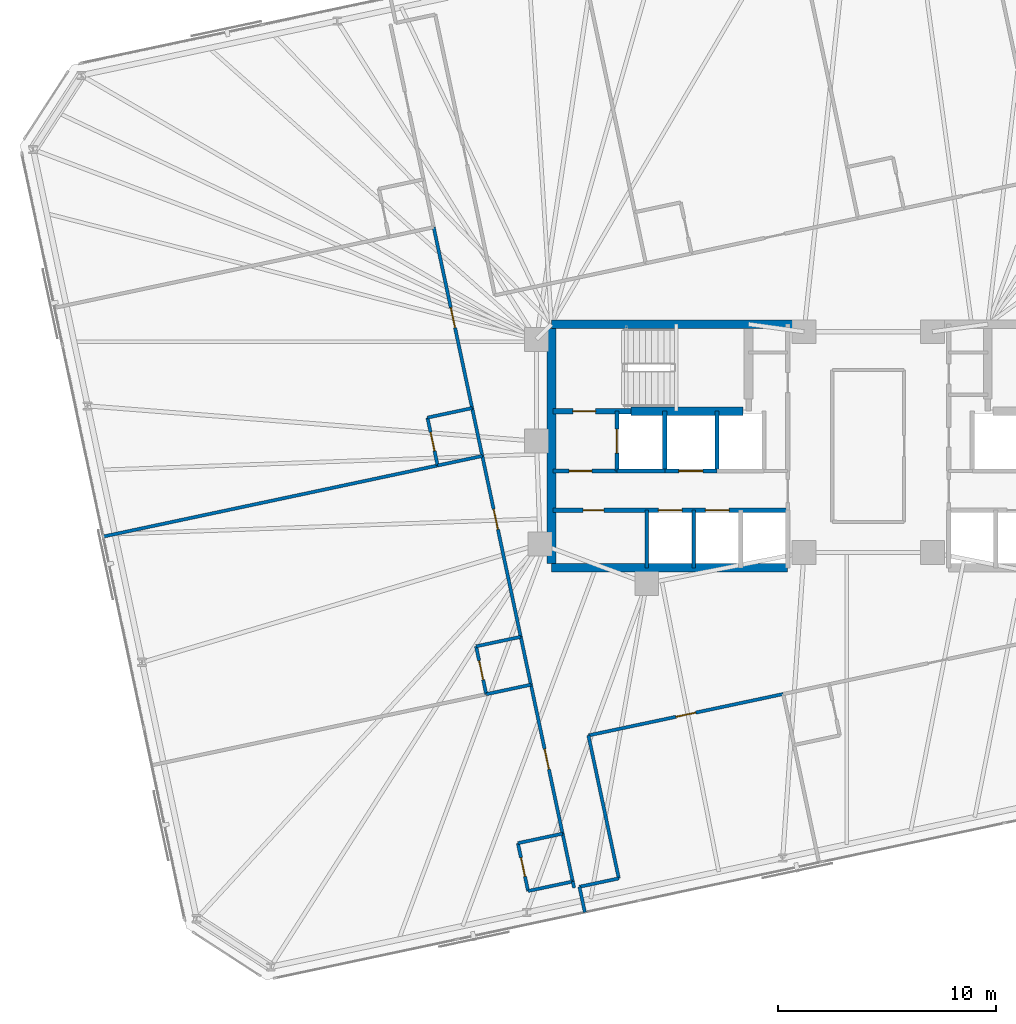
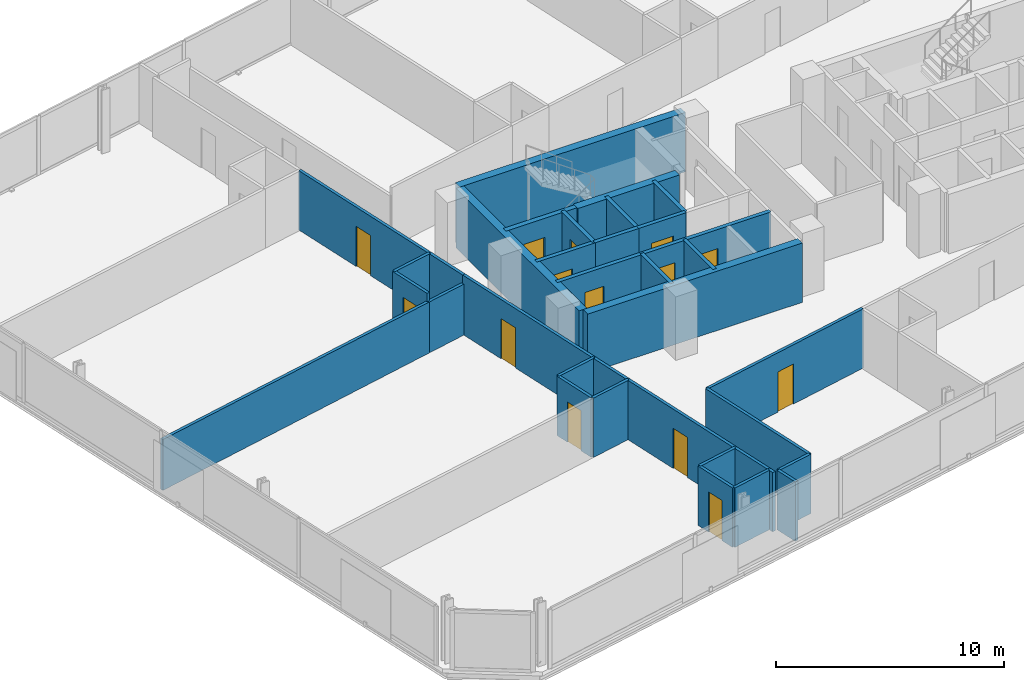
# One storey, part 14 of 19: 35 walls, 14 doors, 14 openings.
"""IFC4 building model written with IfcOpenShell, lengths in metres."""

from ifc_helpers import new_model, si_unit, direction, frame, frame_2d, origin, place, context, subcontext, project, spatial, rectangle, extrude, material, layer, layer_set, type_object, element, fill, save


model = new_model("IFC4")

# Units and contexts
model_context = context("Model", 3, precision=1e-05, world=origin(), true_north=direction((0.0, 1.0)))
body_context = subcontext(model_context, "Body", "Model", "MODEL_VIEW")
ifc_project = project(units=[si_unit("LENGTHUNIT", "METRE"), si_unit("AREAUNIT", "SQUARE_METRE"), si_unit("VOLUMEUNIT", "CUBIC_METRE"), si_unit("PLANEANGLEUNIT", "RADIAN"), si_unit("MASSUNIT", "GRAM", prefix="KILO")], contexts=[model_context])

# Site, building, storey
site_placement = place(None, origin())
site = spatial("IfcSite", under=ifc_project, at=site_placement, CompositionType="ELEMENT")
building_placement = place(site_placement, origin())
building = spatial("IfcBuilding", under=site, at=building_placement, Name="Menara Jurai Vektor", CompositionType="ELEMENT")
storey_placement = place(building_placement, frame((0.0, 0.0, 154.800048828125)))
storey = spatial("IfcBuildingStorey", under=building, at=storey_placement, Name="L39", CompositionType="ELEMENT", Elevation=154.800048828125)

# Wall, opening, door
ifc_material_1 = material(Name="Concrete C40/50", Category="concrete")
ifc_layer_1 = layer(ifc_material_1, 0.25)
ifc_layer_set_1 = layer_set([ifc_layer_1], Name="Concrete C40/50")
wall_type_1 = type_object("IfcWallType", Name="INT-WALL-CORE-250", PredefinedType="STANDARD", material=ifc_layer_set_1)
wall_1_placement = place(storey_placement, frame((-14.5, 1.60009765625, 0.0), z_axis=(0.0, 0.0, 1.0), x_axis=(1.0, 0.0, 0.0)))
wall_1 = element("IfcWall", 1, at=wall_1_placement, inside=storey, type_object=wall_type_1, Name="Interior Wall IW-250 L39", PredefinedType="STANDARD", context=body_context, shape_type="SweptSolid", body=[
    extrude(rectangle(XDim=3.60009765625, YDim=0.25, at=frame_2d((1.800048828125, 0.0))), origin(), (0.0, 0.0, 1.0), 3.175048828125),
])
opening_1_placement = place(wall_1_placement, frame((0.919921875, 0.0, 0.0)))
opening_1 = element("IfcOpeningElement", 2, at=opening_1_placement, cuts=wall_1, Name="Opening D-L39-ST1", PredefinedType="OPENING", context=body_context, shape_type="SweptSolid", body=[
    extrude(rectangle(XDim=1.050048828125, YDim=2.14990234375, at=frame_2d((0.52490234375, 1.074951171875))), frame((0.0, 0.135009765625, 0.0), z_axis=(0.0, -1.0, 0.0), x_axis=(1.0, 0.0, 0.0)), (0.0, 0.0, 1.0), 0.27001953125),
])
ifc_material_2 = material(Name="Fire-Rated Steel Door", Category="steel")
door_type_1 = type_object("IfcDoorType", Name="DR-STAIR-1050", OperationType="NOTDEFINED", PredefinedType="DOOR", material=ifc_material_2)
door_1_placement = place(opening_1_placement, origin())
door_1 = element("IfcDoor", 3, at=door_1_placement, inside=storey, type_object=door_type_1, Name="Exit Stair ST1 Door L39", OperationType="SINGLE_SWING_RIGHT", OverallHeight=2.14990234375, OverallWidth=1.050048828125, PredefinedType="DOOR", context=body_context, shape_type="SweptSolid", body=[
    extrude(rectangle(XDim=1.050048828125, YDim=2.14990234375, at=frame_2d((0.52490234375, 1.074951171875))), frame((0.0, 0.02490234375, 0.0), z_axis=(0.0, -1.0, 0.0), x_axis=(1.0, 0.0, 0.0)), (0.0, 0.0, 1.0), 0.050048828125),
])
fill(opening_1, door_1)

wall_2_placement = place(storey_placement, frame((-11.550048828125, -1.14990234375, 0.0), z_axis=(0.0, 0.0, 1.0), x_axis=(0.0, 1.0, 0.0)))
wall_2 = element("IfcWall", 4, at=wall_2_placement, inside=storey, type_object=wall_type_1, Name="Interior Wall IW-250 L39", PredefinedType="STANDARD", context=body_context, shape_type="SweptSolid", body=[
    extrude(rectangle(XDim=2.75, YDim=0.199951171875, at=frame_2d((1.375, 0.0))), origin(), (0.0, 0.0, 1.0), 3.175048828125),
])
opening_2_placement = place(wall_2_placement, frame((0.824951171875, 0.0, 0.0)))
opening_2 = element("IfcOpeningElement", 5, at=opening_2_placement, cuts=wall_2, Name="Opening LD-L39-FL1", PredefinedType="OPENING", context=body_context, shape_type="SweptSolid", body=[
    extrude(rectangle(XDim=1.10009765625, YDim=2.14990234375, at=frame_2d((0.550048828125, 1.074951171875))), frame((0.0, 0.10986328125, 0.0), z_axis=(0.0, -1.0, 0.0), x_axis=(1.0, 0.0, 0.0)), (0.0, 0.0, 1.0), 0.219970703125),
])
ifc_material_3 = material(Name="Stainless Steel Sliding Lift Landing Door", Category="steel")
door_type_2 = type_object("IfcDoorType", Name="DR-LIFT-FIRE-1100", OperationType="NOTDEFINED", PredefinedType="DOOR", material=ifc_material_3)
door_2_placement = place(opening_2_placement, origin())
door_2 = element("IfcDoor", 6, at=door_2_placement, inside=storey, type_object=door_type_2, Name="Lift Landing Door FL1 L39", OperationType="SLIDING_TO_RIGHT", OverallHeight=2.14990234375, OverallWidth=1.10009765625, PredefinedType="DOOR", context=body_context, shape_type="SweptSolid", body=[
    extrude(rectangle(XDim=1.10009765625, YDim=2.14990234375, at=frame_2d((0.550048828125, 1.074951171875))), frame((0.0, 0.02490234375, 0.0), z_axis=(0.0, -1.0, 0.0), x_axis=(1.0, 0.0, 0.0)), (0.0, 0.0, 1.0), 0.050048828125),
])
fill(opening_2, door_2)

# Wall
wall_3_placement = place(storey_placement, frame((-9.35009765625, -1.14990234375, 0.0), z_axis=(0.0, 0.0, 1.0), x_axis=(0.0, 1.0, 0.0)))
element("IfcWall", 7, at=wall_3_placement, inside=storey, type_object=wall_type_1, Name="Interior Wall IW-250 L39", PredefinedType="STANDARD", context=body_context, shape_type="SweptSolid", body=[
    extrude(rectangle(XDim=2.75, YDim=0.199951171875, at=frame_2d((1.375, 0.0))), origin(), (0.0, 0.0, 1.0), 3.175048828125),
])

# Wall, opening, door
wall_4_placement = place(storey_placement, frame((-14.5, -1.14990234375, 0.0), z_axis=(0.0, 0.0, 1.0), x_axis=(1.0, 0.0, 0.0)))
wall_4 = element("IfcWall", 8, at=wall_4_placement, inside=storey, type_object=wall_type_1, Name="Interior Wall IW-250 L39", PredefinedType="STANDARD", context=body_context, shape_type="SweptSolid", body=[
    extrude(rectangle(XDim=2.949951171875, YDim=0.199951171875, at=frame_2d((1.47509765625, 0.0))), origin(), (0.0, 0.0, 1.0), 3.175048828125),
])
opening_3_placement = place(wall_4_placement, frame((0.75, 0.0, 0.0)))
opening_3 = element("IfcOpeningElement", 9, at=opening_3_placement, cuts=wall_4, Name="Opening D-L39-FFW", PredefinedType="OPENING", context=body_context, shape_type="SweptSolid", body=[
    extrude(rectangle(XDim=1.050048828125, YDim=2.179931640625, at=frame_2d((0.52490234375, 1.08984375))), frame((0.0, 0.10986328125, 0.0), z_axis=(0.0, -1.0, 0.0), x_axis=(1.0, 0.0, 0.0)), (0.0, 0.0, 1.0), 0.219970703125),
])
ifc_material_4 = material(Name="Fire-Rated Timber Door", Category="wood")
door_type_3 = type_object("IfcDoorType", Name="DR-LOBBY-1050", OperationType="NOTDEFINED", PredefinedType="DOOR", material=ifc_material_4)
door_3_placement = place(opening_3_placement, origin())
door_3 = element("IfcDoor", 10, at=door_3_placement, inside=storey, type_object=door_type_3, Name="Fire Lift Lobby Door W L39", OperationType="SINGLE_SWING_RIGHT", OverallHeight=2.179931640625, OverallWidth=1.050048828125, PredefinedType="DOOR", context=body_context, shape_type="SweptSolid", body=[
    extrude(rectangle(XDim=1.050048828125, YDim=2.179931640625, at=frame_2d((0.52490234375, 1.08984375))), frame((0.0, 0.02490234375, 0.0), z_axis=(0.0, -1.0, 0.0), x_axis=(1.0, 0.0, 0.0)), (0.0, 0.0, 1.0), 0.050048828125),
])
fill(opening_3, door_3)

# Walls
wall_5_placement = place(storey_placement, frame((-11.550048828125, -1.14990234375, 0.0), z_axis=(0.0, 0.0, 1.0), x_axis=(1.0, 0.0, 0.0)))
element("IfcWall", 11, at=wall_5_placement, inside=storey, type_object=wall_type_1, Name="Interior Wall IW-250 L39", PredefinedType="STANDARD", context=body_context, shape_type="SweptSolid", body=[
    extrude(rectangle(XDim=2.199951171875, YDim=0.199951171875, at=frame_2d((1.10009765625, 0.0))), origin(), (0.0, 0.0, 1.0), 3.175048828125),
])
ifc_material_5 = material(Name="Gypsum Fireboard Partition", Category="gypsum")
ifc_layer_2 = layer(ifc_material_5, 0.14990234375)
ifc_layer_set_2 = layer_set([ifc_layer_2], Name="Gypsum Fireboard Partition")
wall_type_2 = type_object("IfcWallType", Name="INT-WALL-CORR-150", PredefinedType="PARTITIONING", material=ifc_layer_set_2)
wall_6_placement = place(storey_placement, frame((-13.274169921875, -20.264892578125, 0.0), z_axis=(0.0, 0.0, 1.0), x_axis=(0.978160192495, 0.207852442415, 0.0)))
element("IfcWall", 12, at=wall_6_placement, inside=storey, type_object=wall_type_2, Name="Interior Wall IW-150 L39", PredefinedType="PARTITIONING", context=body_context, shape_type="SweptSolid", body=[
    extrude(rectangle(XDim=1.849853515625, YDim=0.14990234375, at=frame_2d((0.9248046875, 0.0))), origin(), (0.0, 0.0, 1.0), 3.175048828125),
])
wall_7_placement = place(storey_placement, frame((-11.464599609375, -19.88037109375, 0.0), z_axis=(0.0, 0.0, 1.0), x_axis=(-0.207916109912, 0.978146661416, 0.0)))
element("IfcWall", 13, at=wall_7_placement, inside=storey, type_object=wall_type_2, Name="Interior Wall IW-150 L39", PredefinedType="PARTITIONING", context=body_context, shape_type="SweptSolid", body=[
    extrude(rectangle(XDim=6.72021484375, YDim=0.14990234375, at=frame_2d((3.360107421875, 0.0))), origin(), (0.0, 0.0, 1.0), 3.175048828125),
])

# Wall, opening, door
wall_8_placement = place(storey_placement, frame((-12.86181640625, -13.30712890625, 0.0), z_axis=(0.0, 0.0, 1.0), x_axis=(0.978149904805, 0.207900850719, 0.0)))
wall_8 = element("IfcWall", 14, at=wall_8_placement, inside=storey, type_object=wall_type_2, Name="Interior Wall IW-150 L39", PredefinedType="PARTITIONING", context=body_context, shape_type="SweptSolid", body=[
    extrude(rectangle(XDim=9.156005859375, YDim=0.14990234375, at=frame_2d((4.578125, 0.0))), origin(), (0.0, 0.0, 1.0), 3.175048828125),
])
opening_4_placement = place(wall_8_placement, frame((4.117919921875, 0.0, 0.0)))
opening_4 = element("IfcOpeningElement", 15, at=opening_4_placement, cuts=wall_8, Name="Opening D39-14", PredefinedType="OPENING", context=body_context, shape_type="SweptSolid", body=[
    extrude(rectangle(XDim=0.919921875, YDim=2.14990234375, at=frame_2d((0.4599609375, 1.074951171875))), frame((0.0, 0.0849609375, 0.0), z_axis=(0.0, -1.0, 0.0), x_axis=(1.0, 0.0, 0.0)), (0.0, 0.0, 1.0), 0.169921875),
])
ifc_material_6 = material(Name="Solid Core Timber Fire Door", Category="wood")
door_type_4 = type_object("IfcDoorType", Name="DR-ENTRY-950", OperationType="NOTDEFINED", PredefinedType="DOOR", material=ifc_material_6)
door_4_placement = place(opening_4_placement, origin())
door_4 = element("IfcDoor", 16, at=door_4_placement, inside=storey, type_object=door_type_4, Name="Interior Door D39-14", OperationType="SINGLE_SWING_LEFT", OverallHeight=2.14990234375, OverallWidth=0.919921875, PredefinedType="DOOR", context=body_context, shape_type="SweptSolid", body=[
    extrude(rectangle(XDim=0.919921875, YDim=2.14990234375, at=frame_2d((0.4599609375, 1.074951171875))), frame((0.0, 0.02490234375, 0.0), z_axis=(0.0, -1.0, 0.0), x_axis=(1.0, 0.0, 0.0)), (0.0, 0.0, 1.0), 0.050048828125),
])
fill(opening_4, door_4)

# Wall
wall_9_placement = place(storey_placement, frame((-13.518798828125, -20.31689453125, 0.0), z_axis=(0.0, 0.0, 1.0), x_axis=(-0.207527808066, 0.978229118806, 0.0)))
element("IfcWall", 17, at=wall_9_placement, inside=storey, type_object=wall_type_2, Name="Interior Wall IW-150 L39", PredefinedType="PARTITIONING", context=body_context, shape_type="SweptSolid", body=[
    extrude(rectangle(XDim=0.300048828125, YDim=0.14990234375, at=frame_2d((0.14990234375, 0.0))), origin(), (0.0, 0.0, 1.0), 3.175048828125),
])

# Wall, opening, door
wall_10_placement = place(storey_placement, frame((-14.048828125, -17.822509765625, 0.0), z_axis=(0.0, 0.0, 1.0), x_axis=(-0.207940096132, 0.978141562567, 0.0)))
wall_10 = element("IfcWall", 18, at=wall_10_placement, inside=storey, type_object=wall_type_2, Name="Interior Wall IW-150 L39", PredefinedType="PARTITIONING", context=body_context, shape_type="SweptSolid", body=[
    extrude(rectangle(XDim=7.0, YDim=0.14990234375, at=frame_2d((3.5, 0.0))), origin(), (0.0, 0.0, 1.0), 3.175048828125),
])
opening_5_placement = place(wall_10_placement, frame((3.02490234375, 0.0, 0.0)))
opening_5 = element("IfcOpeningElement", 19, at=opening_5_placement, cuts=wall_10, Name="Opening D39-19", PredefinedType="OPENING", context=body_context, shape_type="SweptSolid", body=[
    extrude(rectangle(XDim=0.949951171875, YDim=2.14990234375, at=frame_2d((0.47509765625, 1.074951171875))), frame((0.0, 0.0849609375, 0.0), z_axis=(0.0, -1.0, 0.0), x_axis=(1.0, 0.0, 0.0)), (0.0, 0.0, 1.0), 0.169921875),
])
door_5_placement = place(opening_5_placement, origin())
door_5 = element("IfcDoor", 20, at=door_5_placement, inside=storey, type_object=door_type_4, Name="Interior Door D39-19", OperationType="SINGLE_SWING_RIGHT", OverallHeight=2.14990234375, OverallWidth=0.949951171875, PredefinedType="DOOR", context=body_context, shape_type="SweptSolid", body=[
    extrude(rectangle(XDim=0.949951171875, YDim=2.14990234375, at=frame_2d((0.47509765625, 1.074951171875))), frame((0.0, 0.02490234375, 0.0), z_axis=(0.0, -1.0, 0.0), x_axis=(1.0, 0.0, 0.0)), (0.0, 0.0, 1.0), 0.050048828125),
])
fill(opening_5, door_5)

# Wall
wall_11_placement = place(storey_placement, frame((-13.5810546875, -20.0234375, 0.0), z_axis=(0.0, 0.0, 1.0), x_axis=(-0.207891197838, 0.978151956427, 0.0)))
element("IfcWall", 21, at=wall_11_placement, inside=storey, type_object=wall_type_2, Name="Interior Wall IW-150 L39", PredefinedType="PARTITIONING", context=body_context, shape_type="SweptSolid", body=[
    extrude(rectangle(XDim=2.25, YDim=0.14990234375, at=frame_2d((1.125, 0.0))), origin(), (0.0, 0.0, 1.0), 3.175048828125),
])

# Wall, opening, door
wall_12_placement = place(storey_placement, frame((-15.97216796875, -8.774658203125, 0.0), z_axis=(0.0, 0.0, 1.0), x_axis=(-0.207894825434, 0.97815118543, 0.0)))
wall_12 = element("IfcWall", 22, at=wall_12_placement, inside=storey, type_object=wall_type_2, Name="Interior Wall IW-150 L39", PredefinedType="PARTITIONING", context=body_context, shape_type="SweptSolid", body=[
    extrude(rectangle(XDim=8.5, YDim=0.14990234375, at=frame_2d((4.25, 0.0))), origin(), (0.0, 0.0, 1.0), 3.175048828125),
])
opening_6_placement = place(wall_12_placement, frame((5.050048828125, 0.0, 0.0)))
opening_6 = element("IfcOpeningElement", 23, at=opening_6_placement, cuts=wall_12, Name="Opening D39-21", PredefinedType="OPENING", context=body_context, shape_type="SweptSolid", body=[
    extrude(rectangle(XDim=0.949951171875, YDim=2.14990234375, at=frame_2d((0.47509765625, 1.074951171875))), frame((0.0, 0.0849609375, 0.0), z_axis=(0.0, -1.0, 0.0), x_axis=(1.0, 0.0, 0.0)), (0.0, 0.0, 1.0), 0.169921875),
])
door_6_placement = place(opening_6_placement, origin())
door_6 = element("IfcDoor", 24, at=door_6_placement, inside=storey, type_object=door_type_4, Name="Interior Door D39-21", OperationType="SINGLE_SWING_RIGHT", OverallHeight=2.14990234375, OverallWidth=0.949951171875, PredefinedType="DOOR", context=body_context, shape_type="SweptSolid", body=[
    extrude(rectangle(XDim=0.949951171875, YDim=2.14990234375, at=frame_2d((0.47509765625, 1.074951171875))), frame((0.0, 0.02490234375, 0.0), z_axis=(0.0, -1.0, 0.0), x_axis=(1.0, 0.0, 0.0)), (0.0, 0.0, 1.0), 0.050048828125),
])
fill(opening_6, door_6)

# Wall
wall_13_placement = place(storey_placement, frame((-15.50439453125, -10.9755859375, 0.0), z_axis=(0.0, 0.0, 1.0), x_axis=(-0.207891197838, 0.978151956427, 0.0)))
element("IfcWall", 25, at=wall_13_placement, inside=storey, type_object=wall_type_2, Name="Interior Wall IW-150 L39", PredefinedType="PARTITIONING", context=body_context, shape_type="SweptSolid", body=[
    extrude(rectangle(XDim=2.25, YDim=0.14990234375, at=frame_2d((1.125, 0.0))), origin(), (0.0, 0.0, 1.0), 3.175048828125),
])

# Wall, opening, door
wall_14_placement = place(storey_placement, frame((-18.20703125, 1.740478515625, 0.0), z_axis=(0.0, 0.0, 1.0), x_axis=(-0.207922306475, 0.978145344246, 0.0)))
wall_14 = element("IfcWall", 26, at=wall_14_placement, inside=storey, type_object=wall_type_2, Name="Interior Wall IW-150 L39", PredefinedType="PARTITIONING", context=body_context, shape_type="SweptSolid", body=[
    extrude(rectangle(XDim=8.5, YDim=0.14990234375, at=frame_2d((4.25, 0.0))), origin(), (0.0, 0.0, 1.0), 3.175048828125),
])
opening_7_placement = place(wall_14_placement, frame((3.77490234375, 0.0, 0.0)))
opening_7 = element("IfcOpeningElement", 27, at=opening_7_placement, cuts=wall_14, Name="Opening D39-23", PredefinedType="OPENING", context=body_context, shape_type="SweptSolid", body=[
    extrude(rectangle(XDim=0.949951171875, YDim=2.14990234375, at=frame_2d((0.47509765625, 1.074951171875))), frame((0.0, 0.0849609375, 0.0), z_axis=(0.0, -1.0, 0.0), x_axis=(1.0, 0.0, 0.0)), (0.0, 0.0, 1.0), 0.169921875),
])
door_7_placement = place(opening_7_placement, origin())
door_7 = element("IfcDoor", 28, at=door_7_placement, inside=storey, type_object=door_type_4, Name="Interior Door D39-23", OperationType="SINGLE_SWING_RIGHT", OverallHeight=2.14990234375, OverallWidth=0.949951171875, PredefinedType="DOOR", context=body_context, shape_type="SweptSolid", body=[
    extrude(rectangle(XDim=0.949951171875, YDim=2.14990234375, at=frame_2d((0.47509765625, 1.074951171875))), frame((0.0, 0.02490234375, 0.0), z_axis=(0.0, -1.0, 0.0), x_axis=(1.0, 0.0, 0.0)), (0.0, 0.0, 1.0), 0.050048828125),
])
fill(opening_7, door_7)

# Walls
wall_15_placement = place(storey_placement, frame((-17.7392578125, -0.46044921875, 0.0), z_axis=(0.0, 0.0, 1.0), x_axis=(-0.207891197838, 0.978151956427, 0.0)))
element("IfcWall", 29, at=wall_15_placement, inside=storey, type_object=wall_type_2, Name="Interior Wall IW-150 L39", PredefinedType="PARTITIONING", context=body_context, shape_type="SweptSolid", body=[
    extrude(rectangle(XDim=2.25, YDim=0.14990234375, at=frame_2d((1.125, 0.0))), origin(), (0.0, 0.0, 1.0), 3.175048828125),
])
wall_16_placement = place(storey_placement, frame((-13.024658203125, -21.438720703125, 0.0), z_axis=(0.0, 0.0, 1.0), x_axis=(-0.207917150959, 0.978146440129, 0.0)))
element("IfcWall", 30, at=wall_16_placement, inside=storey, type_object=wall_type_2, Name="Interior Wall IW-150 L39", PredefinedType="PARTITIONING", context=body_context, shape_type="SweptSolid", body=[
    extrude(rectangle(XDim=1.199951171875, YDim=0.14990234375, at=frame_2d((0.60009765625, 0.0))), origin(), (0.0, 0.0, 1.0), 3.175048828125),
])

# Wall, opening, door
wall_17_placement = place(storey_placement, frame((-15.63525390625, -20.4599609375, 0.0), z_axis=(0.0, 0.0, 1.0), x_axis=(-0.207913264065, 0.978147266328, 0.0)))
wall_17 = element("IfcWall", 31, at=wall_17_placement, inside=storey, type_object=wall_type_2, Name="Interior Wall IW-150 L39", PredefinedType="PARTITIONING", context=body_context, shape_type="SweptSolid", body=[
    extrude(rectangle(XDim=2.249755859375, YDim=0.14990234375, at=frame_2d((1.125, 0.0))), origin(), (0.0, 0.0, 1.0), 3.175048828125),
])
opening_8_placement = place(wall_17_placement, frame((0.68505859375, 0.0, 0.0)))
opening_8 = element("IfcOpeningElement", 32, at=opening_8_placement, cuts=wall_17, Name="Opening D39-20", PredefinedType="OPENING", context=body_context, shape_type="SweptSolid", body=[
    extrude(rectangle(XDim=0.8798828125, YDim=2.14990234375, at=frame_2d((0.43994140625, 1.074951171875))), frame((0.0, 0.0849609375, 0.0), z_axis=(0.0, -1.0, 0.0), x_axis=(1.0, 0.0, 0.0)), (0.0, 0.0, 1.0), 0.169921875),
])
ifc_material_7 = material(Name="Moisture-Resistant Timber Door", Category="wood")
door_type_5 = type_object("IfcDoorType", Name="DR-BATH-880", OperationType="NOTDEFINED", PredefinedType="DOOR", material=ifc_material_7)
door_8_placement = place(opening_8_placement, origin())
door_8 = element("IfcDoor", 33, at=door_8_placement, inside=storey, type_object=door_type_5, Name="Interior Door D39-20", OperationType="SINGLE_SWING_LEFT", OverallHeight=2.14990234375, OverallWidth=0.8798828125, PredefinedType="DOOR", context=body_context, shape_type="SweptSolid", body=[
    extrude(rectangle(XDim=0.8798828125, YDim=2.14990234375, at=frame_2d((0.43994140625, 1.074951171875))), frame((0.0, 0.02490234375, 0.0), z_axis=(0.0, -1.0, 0.0), x_axis=(1.0, 0.0, 0.0)), (0.0, 0.0, 1.0), 0.050048828125),
])
fill(opening_8, door_8)

# Walls
for number, where, z_axis, x_axis, name in (
    (34, (-15.63525390625, -20.4599609375, 0.0), (0.0, 0.0, 1.0), (0.97815826, 0.207861536591, 0.0), "Interior Wall IW-150 L39"),
    (35, (-16.10302734375, -18.25927734375, 0.0), (0.0, 0.0, 1.0), (0.978134617382, 0.207972763311, 0.0), "Interior Wall IW-150 L39"),
):
    element("IfcWall", number, at=place(storey_placement, frame(where, z_axis=z_axis, x_axis=x_axis)), inside=storey, type_object=wall_type_2, Name=name, PredefinedType="PARTITIONING", context=body_context, shape_type="SweptSolid", body=[
        extrude(rectangle(XDim=2.10009765625, YDim=0.14990234375, at=frame_2d((1.050048828125, 0.0))), origin(), (0.0, 0.0, 1.0), 3.175048828125),
    ])
wall_18_placement = place(storey_placement, frame((-17.558349609375, -11.412109375, 0.0), z_axis=(0.0, 0.0, 1.0), x_axis=(0.978153236239, 0.207885176084, 0.0)))
element("IfcWall", 36, at=wall_18_placement, inside=storey, type_object=wall_type_2, Name="Interior Wall IW-150 L39", PredefinedType="PARTITIONING", context=body_context, shape_type="SweptSolid", body=[
    extrude(rectangle(XDim=2.099853515625, YDim=0.14990234375, at=frame_2d((1.0498046875, 0.0))), origin(), (0.0, 0.0, 1.0), 3.175048828125),
])

# Wall, opening, door
wall_19_placement = place(storey_placement, frame((-17.558349609375, -11.412109375, 0.0), z_axis=(0.0, 0.0, 1.0), x_axis=(-0.207891197838, 0.978151956427, 0.0)))
wall_19 = element("IfcWall", 37, at=wall_19_placement, inside=storey, type_object=wall_type_2, Name="Interior Wall IW-150 L39", PredefinedType="PARTITIONING", context=body_context, shape_type="SweptSolid", body=[
    extrude(rectangle(XDim=2.25, YDim=0.14990234375, at=frame_2d((1.125, 0.0))), origin(), (0.0, 0.0, 1.0), 3.175048828125),
])
opening_9_placement = place(wall_19_placement, frame((0.68505859375, 0.0, 0.0)))
opening_9 = element("IfcOpeningElement", 38, at=opening_9_placement, cuts=wall_19, Name="Opening D39-22", PredefinedType="OPENING", context=body_context, shape_type="SweptSolid", body=[
    extrude(rectangle(XDim=0.8798828125, YDim=2.14990234375, at=frame_2d((0.43994140625, 1.074951171875))), frame((0.0, 0.0849609375, 0.0), z_axis=(0.0, -1.0, 0.0), x_axis=(1.0, 0.0, 0.0)), (0.0, 0.0, 1.0), 0.169921875),
])
door_9_placement = place(opening_9_placement, origin())
door_9 = element("IfcDoor", 39, at=door_9_placement, inside=storey, type_object=door_type_5, Name="Interior Door D39-22", OperationType="SINGLE_SWING_LEFT", OverallHeight=2.14990234375, OverallWidth=0.8798828125, PredefinedType="DOOR", context=body_context, shape_type="SweptSolid", body=[
    extrude(rectangle(XDim=0.8798828125, YDim=2.14990234375, at=frame_2d((0.43994140625, 1.074951171875))), frame((0.0, 0.02490234375, 0.0), z_axis=(0.0, -1.0, 0.0), x_axis=(1.0, 0.0, 0.0)), (0.0, 0.0, 1.0), 0.050048828125),
])
fill(opening_9, door_9)

# Wall
wall_20_placement = place(storey_placement, frame((-18.026123046875, -9.211181640625, 0.0), z_axis=(0.0, 0.0, 1.0), x_axis=(0.978153236239, 0.207885176084, 0.0)))
element("IfcWall", 40, at=wall_20_placement, inside=storey, type_object=wall_type_2, Name="Interior Wall IW-150 L39", PredefinedType="PARTITIONING", context=body_context, shape_type="SweptSolid", body=[
    extrude(rectangle(XDim=2.099853515625, YDim=0.14990234375, at=frame_2d((1.0498046875, 0.0))), origin(), (0.0, 0.0, 1.0), 3.175048828125),
])

# Wall, opening, door
wall_21_placement = place(storey_placement, frame((-19.79345703125, -0.897216796875, 0.0), z_axis=(0.0, 0.0, 1.0), x_axis=(-0.207891197838, 0.978151956427, 0.0)))
wall_21 = element("IfcWall", 41, at=wall_21_placement, inside=storey, type_object=wall_type_2, Name="Interior Wall IW-150 L39", PredefinedType="PARTITIONING", context=body_context, shape_type="SweptSolid", body=[
    extrude(rectangle(XDim=2.25, YDim=0.14990234375, at=frame_2d((1.125, 0.0))), origin(), (0.0, 0.0, 1.0), 3.175048828125),
])
opening_10_placement = place(wall_21_placement, frame((0.68505859375, 0.0, 0.0)))
opening_10 = element("IfcOpeningElement", 42, at=opening_10_placement, cuts=wall_21, Name="Opening D39-24", PredefinedType="OPENING", context=body_context, shape_type="SweptSolid", body=[
    extrude(rectangle(XDim=0.8798828125, YDim=2.14990234375, at=frame_2d((0.43994140625, 1.074951171875))), frame((0.0, 0.0849609375, 0.0), z_axis=(0.0, -1.0, 0.0), x_axis=(1.0, 0.0, 0.0)), (0.0, 0.0, 1.0), 0.169921875),
])
door_10_placement = place(opening_10_placement, origin())
door_10 = element("IfcDoor", 43, at=door_10_placement, inside=storey, type_object=door_type_5, Name="Interior Door D39-24", OperationType="SINGLE_SWING_LEFT", OverallHeight=2.14990234375, OverallWidth=0.8798828125, PredefinedType="DOOR", context=body_context, shape_type="SweptSolid", body=[
    extrude(rectangle(XDim=0.8798828125, YDim=2.14990234375, at=frame_2d((0.43994140625, 1.074951171875))), frame((0.0, 0.02490234375, 0.0), z_axis=(0.0, -1.0, 0.0), x_axis=(1.0, 0.0, 0.0)), (0.0, 0.0, 1.0), 0.050048828125),
])
fill(opening_10, door_10)

# Walls
wall_22_placement = place(storey_placement, frame((-20.26123046875, 1.3037109375, 0.0), z_axis=(0.0, 0.0, 1.0), x_axis=(0.978134617382, 0.207972763311, 0.0)))
element("IfcWall", 44, at=wall_22_placement, inside=storey, type_object=wall_type_2, Name="Interior Wall IW-150 L39", PredefinedType="PARTITIONING", context=body_context, shape_type="SweptSolid", body=[
    extrude(rectangle(XDim=2.10009765625, YDim=0.14990234375, at=frame_2d((1.050048828125, 0.0))), origin(), (0.0, 0.0, 1.0), 3.175048828125),
])
ifc_layer_3 = layer(ifc_material_5, 0.14990234375)
ifc_layer_set_3 = layer_set([ifc_layer_3], Name="Gypsum Fireboard Partition")
wall_type_3 = type_object("IfcWallType", Name="INT-WALL-CORR-150-H1", PredefinedType="PARTITIONING", material=ifc_layer_set_3)
wall_23_placement = place(storey_placement, frame((-35.16796875, -4.1650390625, 0.0), z_axis=(0.0, 0.0, 1.0), x_axis=(0.978149296727, 0.207903711638, 0.0)))
element("IfcWall", 45, at=wall_23_placement, inside=storey, type_object=wall_type_3, Name="Interior Wall IW-150 L39", PredefinedType="PARTITIONING", context=body_context, shape_type="SweptSolid", body=[
    extrude(rectangle(XDim=15.718017578125, YDim=0.14990234375, at=frame_2d((7.85888671875, 0.0))), origin(), (0.0, 0.0, 1.0), 2.724853515625),
])
wall_24_placement = place(storey_placement, frame((-19.79345703125, -0.897216796875, 0.0), z_axis=(0.0, 0.0, 1.0), x_axis=(0.978134617382, 0.207972763311, 0.0)))
element("IfcWall", 46, at=wall_24_placement, inside=storey, type_object=wall_type_3, Name="Interior Wall IW-150 L39", PredefinedType="PARTITIONING", context=body_context, shape_type="SweptSolid", body=[
    extrude(rectangle(XDim=2.10009765625, YDim=0.14990234375, at=frame_2d((1.050048828125, 0.0))), origin(), (0.0, 0.0, 1.0), 2.724853515625),
])
ifc_layer_4 = layer(ifc_material_1, 0.199951171875)
ifc_layer_set_4 = layer_set([ifc_layer_4], Name="Concrete C40/50")
wall_type_4 = type_object("IfcWallType", Name="INT-WALL-SHAFT-200", PredefinedType="STANDARD", material=ifc_layer_set_4)
wall_25_placement = place(storey_placement, frame((-6.949951171875, -1.14990234375, 0.0), z_axis=(0.0, 0.0, 1.0), x_axis=(0.0, 1.0, 0.0)))
element("IfcWall", 47, at=wall_25_placement, inside=storey, type_object=wall_type_4, Name="Interior Wall IW-200 L39", PredefinedType="STANDARD", context=body_context, shape_type="SweptSolid", body=[
    extrude(rectangle(XDim=2.75, YDim=0.199951171875, at=frame_2d((1.375, 0.0))), origin(), (0.0, 0.0, 1.0), 3.175048828125),
])

# Wall, opening, door
wall_26_placement = place(storey_placement, frame((-9.35009765625, -1.14990234375, 0.0), z_axis=(0.0, 0.0, 1.0), x_axis=(1.0, 0.0, 0.0)))
wall_26 = element("IfcWall", 48, at=wall_26_placement, inside=storey, type_object=wall_type_4, Name="Interior Wall IW-200 L39", PredefinedType="STANDARD", context=body_context, shape_type="SweptSolid", body=[
    extrude(rectangle(XDim=2.400146484375, YDim=0.199951171875, at=frame_2d((1.2001953125, 0.0))), origin(), (0.0, 0.0, 1.0), 3.175048828125),
])
opening_11_placement = place(wall_26_placement, frame((0.64990234375, 0.0, 0.0)))
opening_11 = element("IfcOpeningElement", 49, at=opening_11_placement, cuts=wall_26, Name="Opening LD-L39-SVL1", PredefinedType="OPENING", context=body_context, shape_type="SweptSolid", body=[
    extrude(rectangle(XDim=1.10009765625, YDim=2.14990234375, at=frame_2d((0.550048828125, 1.074951171875))), frame((0.0, 0.10986328125, 0.0), z_axis=(0.0, -1.0, 0.0), x_axis=(1.0, 0.0, 0.0)), (0.0, 0.0, 1.0), 0.219970703125),
])
ifc_material_8 = material(Name="Anodised Stainless Sliding Lift Landing Door", Category="steel")
door_type_6 = type_object("IfcDoorType", Name="DR-LIFT-PASS-1100", OperationType="NOTDEFINED", PredefinedType="DOOR", material=ifc_material_8)
door_11_placement = place(opening_11_placement, origin())
door_11 = element("IfcDoor", 50, at=door_11_placement, inside=storey, type_object=door_type_6, Name="Lift Landing Door SVL1 L39", OperationType="SLIDING_TO_RIGHT", OverallHeight=2.14990234375, OverallWidth=1.10009765625, PredefinedType="DOOR", context=body_context, shape_type="SweptSolid", body=[
    extrude(rectangle(XDim=1.10009765625, YDim=2.14990234375, at=frame_2d((0.550048828125, 1.074951171875))), frame((0.0, 0.02490234375, 0.0), z_axis=(0.0, -1.0, 0.0), x_axis=(1.0, 0.0, 0.0)), (0.0, 0.0, 1.0), 0.050048828125),
])
fill(opening_11, door_11)

# Wall, openings, doors
wall_27_placement = place(storey_placement, frame((-14.5, -2.949951171875, 0.0), z_axis=(0.0, 0.0, 1.0), x_axis=(1.0, 0.0, 0.0)))
wall_27 = element("IfcWall", 51, at=wall_27_placement, inside=storey, type_object=wall_type_4, Name="Interior Wall IW-200 L39", PredefinedType="STANDARD", context=body_context, shape_type="SweptSolid", body=[
    extrude(rectangle(XDim=10.800048828125, YDim=0.199951171875, at=frame_2d((5.39990234375, 0.0))), origin(), (0.0, 0.0, 1.0), 3.175048828125),
])
opening_12_placement = place(wall_27_placement, frame((4.85009765625, 0.0, 0.0)))
opening_12 = element("IfcOpeningElement", 52, at=opening_12_placement, cuts=wall_27, Name="Opening LD-L39-PM1", PredefinedType="OPENING", context=body_context, shape_type="SweptSolid", body=[
    extrude(rectangle(XDim=1.10009765625, YDim=2.14990234375, at=frame_2d((0.550048828125, 1.074951171875))), frame((0.0, 0.10986328125, 0.0), z_axis=(0.0, -1.0, 0.0), x_axis=(1.0, 0.0, 0.0)), (0.0, 0.0, 1.0), 0.219970703125),
])
opening_13_placement = place(wall_27_placement, frame((7.010009765625, 0.0, 0.0)))
opening_13 = element("IfcOpeningElement", 53, at=opening_13_placement, cuts=wall_27, Name="Opening LD-L39-PM2", PredefinedType="OPENING", context=body_context, shape_type="SweptSolid", body=[
    extrude(rectangle(XDim=1.10009765625, YDim=2.14990234375, at=frame_2d((0.550048828125, 1.074951171875))), frame((0.0, 0.10986328125, 0.0), z_axis=(0.0, -1.0, 0.0), x_axis=(1.0, 0.0, 0.0)), (0.0, 0.0, 1.0), 0.219970703125),
])
opening_14_placement = place(wall_27_placement, frame((1.39990234375, 0.0, 0.0)))
opening_14 = element("IfcOpeningElement", 54, at=opening_14_placement, cuts=wall_27, Name="Opening D39-01", PredefinedType="OPENING", context=body_context, shape_type="SweptSolid", body=[
    extrude(rectangle(XDim=0.949951171875, YDim=2.14990234375, at=frame_2d((0.47509765625, 1.074951171875))), frame((0.0, 0.10986328125, 0.0), z_axis=(0.0, -1.0, 0.0), x_axis=(1.0, 0.0, 0.0)), (0.0, 0.0, 1.0), 0.219970703125),
])
door_12_placement = place(opening_14_placement, origin())
door_12 = element("IfcDoor", 55, at=door_12_placement, inside=storey, type_object=door_type_4, Name="Interior Door D39-01", OperationType="SINGLE_SWING_LEFT", OverallHeight=2.14990234375, OverallWidth=0.949951171875, PredefinedType="DOOR", context=body_context, shape_type="SweptSolid", body=[
    extrude(rectangle(XDim=0.949951171875, YDim=2.14990234375, at=frame_2d((0.47509765625, 1.074951171875))), frame((0.0, 0.02490234375, 0.0), z_axis=(0.0, -1.0, 0.0), x_axis=(1.0, 0.0, 0.0)), (0.0, 0.0, 1.0), 0.050048828125),
])
fill(opening_14, door_12)
door_13_placement = place(opening_12_placement, origin())
door_13 = element("IfcDoor", 56, at=door_13_placement, inside=storey, type_object=door_type_6, Name="Lift Landing Door PM1 L39", OperationType="SLIDING_TO_LEFT", OverallHeight=2.14990234375, OverallWidth=1.10009765625, PredefinedType="DOOR", context=body_context, shape_type="SweptSolid", body=[
    extrude(rectangle(XDim=1.10009765625, YDim=2.14990234375, at=frame_2d((0.550048828125, 1.074951171875))), frame((0.0, 0.02490234375, 0.0), z_axis=(0.0, -1.0, 0.0), x_axis=(1.0, 0.0, 0.0)), (0.0, 0.0, 1.0), 0.050048828125),
])
fill(opening_12, door_13)
door_14_placement = place(opening_13_placement, origin())
door_14 = element("IfcDoor", 57, at=door_14_placement, inside=storey, type_object=door_type_6, Name="Lift Landing Door PM2 L39", OperationType="SLIDING_TO_LEFT", OverallHeight=2.14990234375, OverallWidth=1.10009765625, PredefinedType="DOOR", context=body_context, shape_type="SweptSolid", body=[
    extrude(rectangle(XDim=1.10009765625, YDim=2.14990234375, at=frame_2d((0.550048828125, 1.074951171875))), frame((0.0, 0.02490234375, 0.0), z_axis=(0.0, -1.0, 0.0), x_axis=(1.0, 0.0, 0.0)), (0.0, 0.0, 1.0), 0.050048828125),
])
fill(opening_13, door_14)

# Walls
for number, where, z_axis, x_axis, name in (
    (58, (-10.179931640625, -5.60009765625, 0.0), (0.0, 0.0, 1.0), (0.0, 1.0, 0.0), "Interior Wall IW-200 L39"),
    (59, (-8.02001953125, -5.60009765625, 0.0), (0.0, 0.0, 1.0), (0.0, 1.0, 0.0), "Interior Wall IW-200 L39"),
):
    element("IfcWall", number, at=place(storey_placement, frame(where, z_axis=z_axis, x_axis=x_axis)), inside=storey, type_object=wall_type_4, Name=name, PredefinedType="STANDARD", context=body_context, shape_type="SweptSolid", body=[
        extrude(rectangle(XDim=2.650146484375, YDim=0.179931640625, at=frame_2d((1.3251953125, 0.0))), origin(), (0.0, 0.0, 1.0), 3.175048828125),
    ])
ifc_material_9 = material(Name="Concrete C50/60", Category="concrete")
ifc_layer_5 = layer(ifc_material_9, 0.39990234375)
ifc_layer_set_5 = layer_set([ifc_layer_5], Name="Concrete C50/60")
wall_type_5 = type_object("IfcWallType", Name="STR-WALL-CORE400", PredefinedType="SHEAR", material=ifc_layer_set_5)
wall_28_placement = place(storey_placement, frame((-14.56005859375, 5.60009765625, 0.0), z_axis=(0.0, 0.0, 1.0), x_axis=(1.0, 0.0, 0.0)))
element("IfcWall", 60, at=wall_28_placement, inside=storey, type_object=wall_type_5, Name="Core Shear Wall CW-W-N L39", PredefinedType="SHEAR", context=body_context, shape_type="SweptSolid", body=[
    extrude(rectangle(XDim=11.41015625, YDim=0.39990234375, at=frame_2d((5.705078125, 0.0))), origin(), (0.0, 0.0, 1.0), 3.175048828125),
])
wall_29_placement = place(storey_placement, frame((-14.56005859375, -5.60009765625, 0.0), z_axis=(0.0, 0.0, 1.0), x_axis=(1.0, 0.0, 0.0)))
element("IfcWall", 61, at=wall_29_placement, inside=storey, type_object=wall_type_5, Name="Core Shear Wall CW-W-S L39", PredefinedType="SHEAR", context=body_context, shape_type="SweptSolid", body=[
    extrude(rectangle(XDim=10.860107421875, YDim=0.39990234375, at=frame_2d((5.43017578125, 0.0))), origin(), (0.0, 0.0, 1.0), 3.175048828125),
])
wall_30_placement = place(storey_placement, frame((-14.56005859375, -5.39990234375, 0.0), z_axis=(0.0, 0.0, 1.0), x_axis=(0.0, 1.0, 0.0)))
element("IfcWall", 62, at=wall_30_placement, inside=storey, type_object=wall_type_5, Name="Core Shear Wall CW-W-W L39", PredefinedType="SHEAR", context=body_context, shape_type="SweptSolid", body=[
    extrude(rectangle(XDim=10.7998046875, YDim=0.39990234375, at=frame_2d((5.39990234375, 0.0))), origin(), (0.0, 0.0, 1.0), 3.175048828125),
])
wall_31_placement = place(storey_placement, frame((-10.89990234375, 1.60009765625, 0.0), z_axis=(0.0, 0.0, 1.0), x_axis=(1.0, 0.0, 0.0)))
element("IfcWall", 63, at=wall_31_placement, inside=storey, type_object=wall_type_5, Name="Core Shear Wall CW-W-STS L39", PredefinedType="SHEAR", context=body_context, shape_type="SweptSolid", body=[
    extrude(rectangle(XDim=5.14990234375, YDim=0.39990234375, at=frame_2d((2.574951171875, 0.0))), origin(), (0.0, 0.0, 1.0), 3.175048828125),
])

save(model, "model.ifc")
